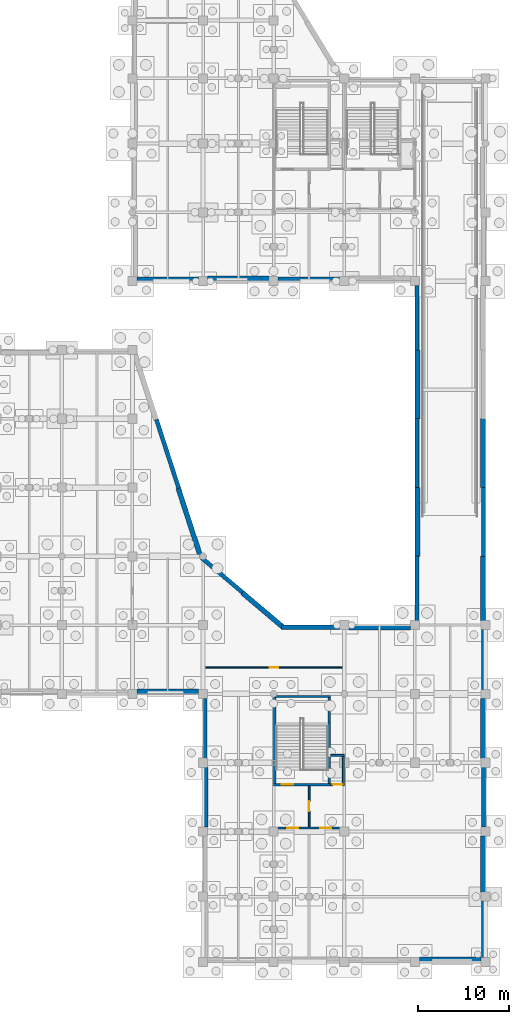
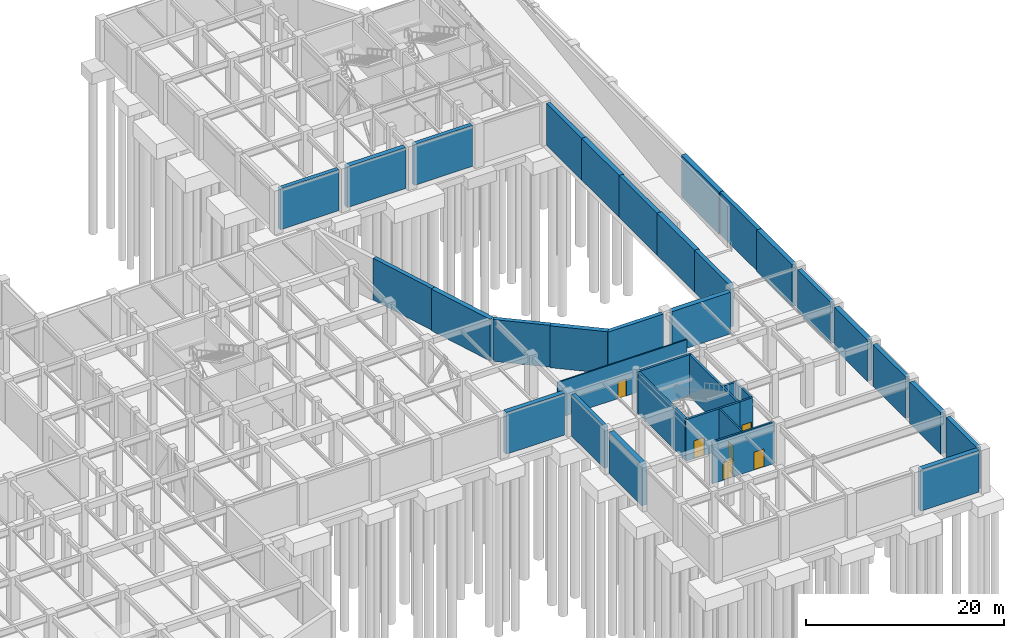
# One storey, part 45 of 52: 36 walls, 6 doors, 6 openings.
"""IFC4 building model written with IfcOpenShell, lengths in metres."""

from ifc_helpers import new_model, si_unit, direction, frame, frame_2d, origin, place, context, subcontext, project, spatial, rectangle, extrude, material, layer, layer_set, type_object, element, fill, save


model = new_model("IFC4")

# Units and contexts
model_context = context("Model", 3, precision=1e-05, world=origin(), true_north=direction((0.0, 1.0)))
body_context = subcontext(model_context, "Body", "Model", "MODEL_VIEW")
ifc_project = project(units=[si_unit("LENGTHUNIT", "METRE"), si_unit("AREAUNIT", "SQUARE_METRE"), si_unit("VOLUMEUNIT", "CUBIC_METRE"), si_unit("PLANEANGLEUNIT", "RADIAN"), si_unit("MASSUNIT", "GRAM", prefix="KILO")], contexts=[model_context])

# Site, building, storey
site_placement = place(None, origin())
site = spatial("IfcSite", under=ifc_project, at=site_placement, CompositionType="ELEMENT")
building_placement = place(site_placement, origin())
building = spatial("IfcBuilding", under=site, at=building_placement, Name="Xicomal Pleat Aquarium", CompositionType="ELEMENT")
storey_placement = place(building_placement, frame((0.0, 0.0, -5.39990234375)))
storey = spatial("IfcBuildingStorey", under=building, at=storey_placement, Name="B1", CompositionType="ELEMENT", Elevation=-5.39990234375)

# Wall, opening, door
ifc_material_1 = material(Name="Concrete C40/50", Category="concrete")
ifc_layer_1 = layer(ifc_material_1, 0.219970703125)
ifc_layer_set_1 = layer_set([ifc_layer_1], Name="Concrete C40/50")
wall_type_1 = type_object("IfcWallType", Name="WAL-COR-220", PredefinedType="SHEAR", material=ifc_layer_set_1)
wall_1_placement = place(storey_placement, frame((147.89990234375, 20.389892578125, 0.0), z_axis=(0.0, 0.0, 1.0), x_axis=(1.0, 0.0, 0.0)))
wall_1 = element("IfcWall", 1, at=wall_1_placement, inside=storey, type_object=wall_type_1, Name="B1 LF-08 lift shaft wall CW-B1-C8-LS", PredefinedType="SHEAR", context=body_context, shape_type="SweptSolid", body=[
    extrude(rectangle(XDim=1.52001953125, YDim=0.219970703125, at=frame_2d((0.760009765625, 0.0))), origin(), (0.0, 0.0, 1.0), 5.119873046875),
])
opening_1_placement = place(wall_1_placement, frame((0.2099609375, 0.0, 0.0)))
opening_1 = element("IfcOpeningElement", 2, at=opening_1_placement, cuts=wall_1, Name="Opening LD-08-B1", PredefinedType="OPENING", context=body_context, shape_type="SweptSolid", body=[
    extrude(rectangle(XDim=1.10009765625, YDim=2.14990234375, at=frame_2d((0.550048828125, 1.074951171875))), frame((0.0, 0.119873046875, 0.0), z_axis=(0.0, -1.0, 0.0), x_axis=(1.0, 0.0, 0.0)), (0.0, 0.0, 1.0), 0.239990234375),
])
ifc_material_2 = material(Name="Brushed stainless steel 304", Category="steel")
door_type_1 = type_object("IfcDoorType", Name="DOR-LD-1100x2150", OperationType="DOUBLE_DOOR_SLIDING", PredefinedType="DOOR", material=ifc_material_2)
door_1_placement = place(opening_1_placement, origin())
door_1 = element("IfcDoor", 3, at=door_1_placement, inside=storey, type_object=door_type_1, Name="B1 LF-08 sliding lift landing door", OperationType="DOUBLE_DOOR_SLIDING", OverallHeight=2.14990234375, OverallWidth=1.10009765625, PredefinedType="DOOR", context=body_context, shape_type="SweptSolid", body=[
    extrude(rectangle(XDim=1.10009765625, YDim=2.14990234375, at=frame_2d((0.550048828125, 1.074951171875))), frame((0.0, 0.02490234375, 0.0), z_axis=(0.0, -1.0, 0.0), x_axis=(1.0, 0.0, 0.0)), (0.0, 0.0, 1.0), 0.050048828125),
])
fill(opening_1, door_1)

# Walls
wall_2_placement = place(storey_placement, frame((147.89990234375, 23.610107421875, 0.0), z_axis=(0.0, 0.0, 1.0), x_axis=(1.0, 0.0, 0.0)))
element("IfcWall", 4, at=wall_2_placement, inside=storey, type_object=wall_type_1, Name="B1 LF-08 lift shaft wall CW-B1-C8-LN", PredefinedType="SHEAR", context=body_context, shape_type="SweptSolid", body=[
    extrude(rectangle(XDim=1.52001953125, YDim=0.219970703125, at=frame_2d((0.760009765625, 0.0))), origin(), (0.0, 0.0, 1.0), 5.119873046875),
])
wall_3_placement = place(storey_placement, frame((149.31005859375, 20.5, 0.0), z_axis=(0.0, 0.0, 1.0), x_axis=(0.0, 1.0, 0.0)))
element("IfcWall", 5, at=wall_3_placement, inside=storey, type_object=wall_type_1, Name="B1 LF-08 lift shaft wall CW-B1-C8-LE", PredefinedType="SHEAR", context=body_context, shape_type="SweptSolid", body=[
    extrude(rectangle(XDim=3.0, YDim=0.219970703125, at=frame_2d((1.5, 0.0))), origin(), (0.0, 0.0, 1.0), 5.119873046875),
])

# Wall, opening, door
ifc_material_3 = material(Name="Concrete C40/50", Category="concrete")
ifc_layer_2 = layer(ifc_material_3, 0.25)
ifc_layer_set_2 = layer_set([ifc_layer_2], Name="Concrete C40/50")
wall_type_2 = type_object("IfcWallType", Name="WAL-COR-250", PredefinedType="SHEAR", material=ifc_layer_set_2)
wall_4_placement = place(storey_placement, frame((141.590087890625, 20.375, 0.0), z_axis=(0.0, 0.0, 1.0), x_axis=(1.0, 0.0, 0.0)))
wall_4 = element("IfcWall", 6, at=wall_4_placement, inside=storey, type_object=wall_type_2, Name="B1 CORE-8 stair shear wall CW-B1-C8-SS", PredefinedType="SHEAR", context=body_context, shape_type="SweptSolid", body=[
    extrude(rectangle(XDim=6.280029296875, YDim=0.25, at=frame_2d((3.14013671875, 0.0))), origin(), (0.0, 0.0, 1.0), 5.119873046875),
])
opening_2_placement = place(wall_4_placement, frame((0.89990234375, 0.0, 0.0)))
opening_2 = element("IfcOpeningElement", 7, at=opening_2_placement, cuts=wall_4, Name="Opening SD-08-B1", PredefinedType="OPENING", context=body_context, shape_type="SweptSolid", body=[
    extrude(rectangle(XDim=1.25, YDim=2.199951171875, at=frame_2d((0.625, 1.10009765625))), frame((0.0, 0.135009765625, 0.0), z_axis=(0.0, -1.0, 0.0), x_axis=(1.0, 0.0, 0.0)), (0.0, 0.0, 1.0), 0.27001953125),
])
ifc_material_4 = material(Name="Powder-coated steel fire door", Category="steel")
door_type_2 = type_object("IfcDoorType", Name="DOR-ST-1250x2200", OperationType="NOTDEFINED", PredefinedType="DOOR", material=ifc_material_4)
door_2_placement = place(opening_2_placement, origin())
door_2 = element("IfcDoor", 8, at=door_2_placement, inside=storey, type_object=door_type_2, Name="B1 ST-08 protected stair door", OperationType="SINGLE_SWING_LEFT", OverallHeight=2.199951171875, OverallWidth=1.25, PredefinedType="DOOR", context=body_context, shape_type="SweptSolid", body=[
    extrude(rectangle(XDim=1.25, YDim=2.199951171875, at=frame_2d((0.625, 1.10009765625))), frame((0.0, 0.02490234375, 0.0), z_axis=(0.0, -1.0, 0.0), x_axis=(1.0, 0.0, 0.0)), (0.0, 0.0, 1.0), 0.050048828125),
])
fill(opening_2, door_2)

# Walls
wall_5_placement = place(storey_placement, frame((141.590087890625, 30.125, 0.0), z_axis=(0.0, 0.0, 1.0), x_axis=(1.0, 0.0, 0.0)))
element("IfcWall", 9, at=wall_5_placement, inside=storey, type_object=wall_type_2, Name="B1 CORE-8 stair shear wall CW-B1-C8-SN", PredefinedType="SHEAR", context=body_context, shape_type="SweptSolid", body=[
    extrude(rectangle(XDim=6.280029296875, YDim=0.25, at=frame_2d((3.14013671875, 0.0))), origin(), (0.0, 0.0, 1.0), 5.119873046875),
])
for number, where, z_axis, x_axis, name in (
    (10, (141.715087890625, 20.5, 0.0), (0.0, 0.0, 1.0), (0.0, 1.0, 0.0), "B1 CORE-8 stair shear wall CW-B1-C8-SW"),
    (11, (147.7451171875, 20.5, 0.0), (0.0, 0.0, 1.0), (0.0, 1.0, 0.0), "B1 CORE-8 stair shear wall CW-B1-C8-SE"),
):
    element("IfcWall", number, at=place(storey_placement, frame(where, z_axis=z_axis, x_axis=x_axis)), inside=storey, type_object=wall_type_2, Name=name, PredefinedType="SHEAR", context=body_context, shape_type="SweptSolid", body=[
        extrude(rectangle(XDim=9.5, YDim=0.25, at=frame_2d((4.75, 0.0))), origin(), (0.0, 0.0, 1.0), 5.119873046875),
    ])

# Wall, opening, door
ifc_material_5 = material(Name="Acoustic double-stud drywall partition", Category="gypsum")
ifc_layer_3 = layer(ifc_material_5, 0.14599609375)
ifc_layer_set_3 = layer_set([ifc_layer_3], Name="Acoustic double-stud drywall partition")
wall_type_3 = type_object("IfcWallType", Name="WAL-PRT-146", PredefinedType="PARTITIONING", material=ifc_layer_set_3)
wall_6_placement = place(storey_placement, frame((149.199951171875, 33.320068359375, 0.0), z_axis=(0.0, 0.0, 1.0), x_axis=(-1.0, 0.0, 0.0)))
wall_6 = element("IfcWall", 12, at=wall_6_placement, inside=storey, type_object=wall_type_3, Name="B1 interior partition PT-B1-012", PredefinedType="PARTITIONING", context=body_context, shape_type="SweptSolid", body=[
    extrude(rectangle(XDim=15.099853515625, YDim=0.14599609375, at=frame_2d((7.5498046875, 0.0))), origin(), (0.0, 0.0, 1.0), 4.46484375),
])
opening_3_placement = place(wall_6_placement, frame((7.074951171875, 0.0, 0.0)))
opening_3 = element("IfcOpeningElement", 13, at=opening_3_placement, cuts=wall_6, Name="Opening DR-B1-006", PredefinedType="OPENING", context=body_context, shape_type="SweptSolid", body=[
    extrude(rectangle(XDim=0.949951171875, YDim=2.10009765625, at=frame_2d((0.47509765625, 1.050048828125))), frame((0.0, 0.0830078125, 0.0), z_axis=(0.0, -1.0, 0.0), x_axis=(1.0, 0.0, 0.0)), (0.0, 0.0, 1.0), 0.166015625),
])
ifc_material_6 = material(Name="Solid-core hardwood and anodized aluminium frame", Category="wood")
door_type_3 = type_object("IfcDoorType", Name="DOR-WC-0950x2100", OperationType="NOTDEFINED", PredefinedType="DOOR", material=ifc_material_6)
door_3_placement = place(opening_3_placement, origin())
door_3 = element("IfcDoor", 14, at=door_3_placement, inside=storey, type_object=door_type_3, Name="B1 Ozone Contact and Protein Skimmer Plant door DR-B1-006", OperationType="SINGLE_SWING_LEFT", OverallHeight=2.10009765625, OverallWidth=0.949951171875, PredefinedType="DOOR", context=body_context, shape_type="SweptSolid", body=[
    extrude(rectangle(XDim=0.949951171875, YDim=2.10009765625, at=frame_2d((0.47509765625, 1.050048828125))), frame((0.0, 0.02490234375, 0.0), z_axis=(0.0, -1.0, 0.0), x_axis=(1.0, 0.0, 0.0)), (0.0, 0.0, 1.0), 0.050048828125),
])
fill(opening_3, door_3)

ifc_material_7 = material(Name="Acoustic double-stud drywall partition", Category="gypsum")
ifc_layer_4 = layer(ifc_material_7, 0.195068359375)
ifc_layer_set_4 = layer_set([ifc_layer_4], Name="Acoustic double-stud drywall partition")
wall_type_4 = type_object("IfcWallType", Name="WAL-PRT-195", PredefinedType="PARTITIONING", material=ifc_layer_set_4)
wall_7_placement = place(storey_placement, frame((145.52490234375, 15.75, 0.0), z_axis=(0.0, 0.0, 1.0), x_axis=(0.0, 1.0, 0.0)))
wall_7 = element("IfcWall", 15, at=wall_7_placement, inside=storey, type_object=wall_type_4, Name="B1 firefighting lobby smoke divider 8", PredefinedType="PARTITIONING", context=body_context, shape_type="SweptSolid", body=[
    extrude(rectangle(XDim=4.5, YDim=0.195068359375, at=frame_2d((2.25, 0.0))), origin(), (0.0, 0.0, 1.0), 5.119873046875),
])
opening_4_placement = place(wall_7_placement, frame((1.699951171875, 0.0, 0.0)))
opening_4 = element("IfcOpeningElement", 16, at=opening_4_placement, cuts=wall_7, Name="Opening FD-08C-B1", PredefinedType="OPENING", context=body_context, shape_type="SweptSolid", body=[
    extrude(rectangle(XDim=1.10009765625, YDim=2.14990234375, at=frame_2d((0.550048828125, 1.074951171875))), frame((0.0, 0.107421875, 0.0), z_axis=(0.0, -1.0, 0.0), x_axis=(1.0, 0.0, 0.0)), (0.0, 0.0, 1.0), 0.215087890625),
])
ifc_material_8 = material(Name="Powder-coated steel fire door", Category="steel")
door_type_4 = type_object("IfcDoorType", Name="DOR-LAB-1100x2150", OperationType="NOTDEFINED", PredefinedType="DOOR", material=ifc_material_8)
door_4_placement = place(opening_4_placement, origin())
door_4 = element("IfcDoor", 17, at=door_4_placement, inside=storey, type_object=door_type_4, Name="B1 lobby interconnecting fire door 8C", OperationType="SINGLE_SWING_RIGHT", OverallHeight=2.14990234375, OverallWidth=1.10009765625, PredefinedType="DOOR", context=body_context, shape_type="SweptSolid", body=[
    extrude(rectangle(XDim=1.10009765625, YDim=2.14990234375, at=frame_2d((0.550048828125, 1.074951171875))), frame((0.0, 0.02490234375, 0.0), z_axis=(0.0, -1.0, 0.0), x_axis=(1.0, 0.0, 0.0)), (0.0, 0.0, 1.0), 0.050048828125),
])
fill(opening_4, door_4)

# Wall, openings, doors
ifc_material_9 = material(Name="Fire-rated gypsum and mineral-wool partition", Category="gypsum")
ifc_layer_5 = layer(ifc_material_9, 0.2099609375)
ifc_layer_set_5 = layer_set([ifc_layer_5], Name="Fire-rated gypsum and mineral-wool partition")
wall_type_5 = type_object("IfcWallType", Name="WAL-PRT-210", PredefinedType="PARTITIONING", material=ifc_layer_set_5)
wall_8_placement = place(storey_placement, frame((141.89990234375, 15.60009765625, 0.0), z_axis=(0.0, 0.0, 1.0), x_axis=(1.0, 0.0, 0.0)))
wall_8 = element("IfcWall", 18, at=wall_8_placement, inside=storey, type_object=wall_type_5, Name="B1 CORE-8 lobby fire enclosure wall", PredefinedType="PARTITIONING", context=body_context, shape_type="SweptSolid", body=[
    extrude(rectangle(XDim=7.25, YDim=0.2099609375, at=frame_2d((3.625, 0.0))), origin(), (0.0, 0.0, 1.0), 5.119873046875),
])
opening_5_placement = place(wall_8_placement, frame((1.2119140625, 0.0, 0.0)))
opening_5 = element("IfcOpeningElement", 19, at=opening_5_placement, cuts=wall_8, Name="Opening FD-08A-B1", PredefinedType="OPENING", context=body_context, shape_type="SweptSolid", body=[
    extrude(rectangle(XDim=1.199951171875, YDim=2.199951171875, at=frame_2d((0.60009765625, 1.10009765625))), frame((0.0, 0.114990234375, 0.0), z_axis=(0.0, -1.0, 0.0), x_axis=(1.0, 0.0, 0.0)), (0.0, 0.0, 1.0), 0.22998046875),
])
opening_6_placement = place(wall_8_placement, frame((4.837890625, 0.0, 0.0)))
opening_6 = element("IfcOpeningElement", 20, at=opening_6_placement, cuts=wall_8, Name="Opening FD-08B-B1", PredefinedType="OPENING", context=body_context, shape_type="SweptSolid", body=[
    extrude(rectangle(XDim=1.199951171875, YDim=2.199951171875, at=frame_2d((0.60009765625, 1.10009765625))), frame((0.0, 0.114990234375, 0.0), z_axis=(0.0, -1.0, 0.0), x_axis=(1.0, 0.0, 0.0)), (0.0, 0.0, 1.0), 0.22998046875),
])
ifc_material_10 = material(Name="Powder-coated steel fire door", Category="steel")
door_type_5 = type_object("IfcDoorType", Name="DOR-FFL-1200x2200", OperationType="NOTDEFINED", PredefinedType="DOOR", material=ifc_material_10)
door_5_placement = place(opening_5_placement, origin())
door_5 = element("IfcDoor", 21, at=door_5_placement, inside=storey, type_object=door_type_5, Name="B1 firefighting lobby door 8A", OperationType="SINGLE_SWING_RIGHT", OverallHeight=2.199951171875, OverallWidth=1.199951171875, PredefinedType="DOOR", context=body_context, shape_type="SweptSolid", body=[
    extrude(rectangle(XDim=1.199951171875, YDim=2.199951171875, at=frame_2d((0.60009765625, 1.10009765625))), frame((0.0, 0.02490234375, 0.0), z_axis=(0.0, -1.0, 0.0), x_axis=(1.0, 0.0, 0.0)), (0.0, 0.0, 1.0), 0.050048828125),
])
fill(opening_5, door_5)
door_6_placement = place(opening_6_placement, origin())
door_6 = element("IfcDoor", 22, at=door_6_placement, inside=storey, type_object=door_type_5, Name="B1 lift lobby door 8B", OperationType="SINGLE_SWING_LEFT", OverallHeight=2.199951171875, OverallWidth=1.199951171875, PredefinedType="DOOR", context=body_context, shape_type="SweptSolid", body=[
    extrude(rectangle(XDim=1.199951171875, YDim=2.199951171875, at=frame_2d((0.60009765625, 1.10009765625))), frame((0.0, 0.02490234375, 0.0), z_axis=(0.0, -1.0, 0.0), x_axis=(1.0, 0.0, 0.0)), (0.0, 0.0, 1.0), 0.050048828125),
])
fill(opening_6, door_6)

# Walls
ifc_material_11 = material(Name="Waterproof concrete C40/50", Category="concrete")
ifc_layer_6 = layer(ifc_material_11, 0.4599609375)
ifc_layer_set_6 = layer_set([ifc_layer_6], Name="Waterproof concrete C40/50")
wall_type_6 = type_object("IfcWallType", Name="WAL-RET-460", PredefinedType="USERDEFINED", material=ifc_layer_set_6)
wall_9_placement = place(storey_placement, frame((133.652099609375, 45.424072265625, 0.0), z_axis=(0.0, 0.0, 1.0), x_axis=(0.764025829276, -0.645185657155, 0.0)))
element("IfcWall", 23, at=wall_9_placement, inside=storey, type_object=wall_type_6, Name="Basement waterproof retaining wall RW-B1-001", ObjectType="RETAINING WALL", PredefinedType="USERDEFINED", context=body_context, shape_type="SweptSolid", body=[
    extrude(rectangle(XDim=5.889892578125, YDim=0.4599609375, at=frame_2d((2.94482421875, 0.0))), origin(), (0.0, 0.0, 1.0), 5.159912109375),
])
wall_10_placement = place(storey_placement, frame((142.43994140625, 37.77001953125, 0.0), z_axis=(0.0, 0.0, 1.0), x_axis=(1.0, 0.0, 0.0)))
element("IfcWall", 24, at=wall_10_placement, inside=storey, type_object=wall_type_6, Name="Basement waterproof retaining wall RW-B1-003", ObjectType="RETAINING WALL", PredefinedType="USERDEFINED", context=body_context, shape_type="SweptSolid", body=[
    extrude(rectangle(XDim=6.47509765625, YDim=0.4599609375, at=frame_2d((3.237548828125, 0.0))), origin(), (0.0, 0.0, 1.0), 5.119873046875),
])
wall_11_placement = place(storey_placement, frame((157.429931640625, 38.485107421875, 0.0), z_axis=(0.0, 0.0, 1.0), x_axis=(0.0, 1.0, 0.0)))
element("IfcWall", 25, at=wall_11_placement, inside=storey, type_object=wall_type_6, Name="Basement waterproof retaining wall RW-B1-005", ObjectType="RETAINING WALL", PredefinedType="USERDEFINED", context=body_context, shape_type="SweptSolid", body=[
    extrude(rectangle(XDim=7.135009765625, YDim=0.4599609375, at=frame_2d((3.5673828125, 0.0))), origin(), (0.0, 0.0, 1.0), 5.159912109375),
])
wall_12_placement = place(storey_placement, frame((157.429931640625, 53.179931640625, 0.0), z_axis=(0.0, 0.0, 1.0), x_axis=(0.0, 1.0, 0.0)))
element("IfcWall", 26, at=wall_12_placement, inside=storey, type_object=wall_type_6, Name="Basement waterproof retaining wall RW-B1-007", ObjectType="RETAINING WALL", PredefinedType="USERDEFINED", context=body_context, shape_type="SweptSolid", body=[
    extrude(rectangle(XDim=7.64013671875, YDim=0.4599609375, at=frame_2d((3.820068359375, 0.0))), origin(), (0.0, 0.0, 1.0), 5.159912109375),
])
wall_13_placement = place(storey_placement, frame((157.429931640625, 68.3798828125, 0.0), z_axis=(0.0, 0.0, 1.0), x_axis=(0.0, 1.0, 0.0)))
element("IfcWall", 27, at=wall_13_placement, inside=storey, type_object=wall_type_6, Name="Basement waterproof retaining wall RW-B1-009", ObjectType="RETAINING WALL", PredefinedType="USERDEFINED", context=body_context, shape_type="SweptSolid", body=[
    extrude(rectangle(XDim=7.135009765625, YDim=0.4599609375, at=frame_2d((3.5673828125, 0.0))), origin(), (0.0, 0.0, 1.0), 5.159912109375),
])
wall_14_placement = place(storey_placement, frame((148.9150390625, 76.22998046875, 0.0), z_axis=(0.0, 0.0, 1.0), x_axis=(-1.0, 0.0, 0.0)))
element("IfcWall", 28, at=wall_14_placement, inside=storey, type_object=wall_type_6, Name="Basement waterproof retaining wall RW-B1-011", ObjectType="RETAINING WALL", PredefinedType="USERDEFINED", context=body_context, shape_type="SweptSolid", body=[
    extrude(rectangle(XDim=6.830078125, YDim=0.4599609375, at=frame_2d((3.4150390625, 0.0))), origin(), (0.0, 0.0, 1.0), 5.0498046875),
])
wall_15_placement = place(storey_placement, frame((133.31494140625, 76.22998046875, 0.0), z_axis=(0.0, 0.0, 1.0), x_axis=(-1.0, 0.0, 0.0)))
element("IfcWall", 29, at=wall_15_placement, inside=storey, type_object=wall_type_6, Name="Basement waterproof retaining wall RW-B1-013", ObjectType="RETAINING WALL", PredefinedType="USERDEFINED", context=body_context, shape_type="SweptSolid", body=[
    extrude(rectangle(XDim=6.829833984375, YDim=0.4599609375, at=frame_2d((3.4150390625, 0.0))), origin(), (0.0, 0.0, 1.0), 5.0498046875),
])
wall_16_placement = place(storey_placement, frame((164.77001953125, 53.219970703125, 0.0), z_axis=(0.0, 0.0, 1.0), x_axis=(0.0, -1.0, 0.0)))
element("IfcWall", 30, at=wall_16_placement, inside=storey, type_object=wall_type_6, Name="Basement waterproof retaining wall RW-B1-031", ObjectType="RETAINING WALL", PredefinedType="USERDEFINED", context=body_context, shape_type="SweptSolid", body=[
    extrude(rectangle(XDim=7.639892578125, YDim=0.4599609375, at=frame_2d((3.81982421875, 0.0))), origin(), (0.0, 0.0, 1.0), 5.159912109375),
])
for number, where, z_axis, x_axis, name in (
    (31, (164.77001953125, 37.514892578125, 0.0), (0.0, 0.0, 1.0), (0.0, -1.0, 0.0), "Basement waterproof retaining wall RW-B1-033"),
    (32, (164.77001953125, 22.31494140625, 0.0), (0.0, 0.0, 1.0), (0.0, -1.0, 0.0), "Basement waterproof retaining wall RW-B1-035"),
):
    element("IfcWall", number, at=place(storey_placement, frame(where, z_axis=z_axis, x_axis=x_axis)), inside=storey, type_object=wall_type_6, Name=name, ObjectType="RETAINING WALL", PredefinedType="USERDEFINED", context=body_context, shape_type="SweptSolid", body=[
        extrude(rectangle(XDim=6.6298828125, YDim=0.4599609375, at=frame_2d((3.31494140625, 0.0))), origin(), (0.0, 0.0, 1.0), 5.119873046875),
    ])
wall_17_placement = place(storey_placement, frame((164.77001953125, 7.514892578125, 0.0), z_axis=(0.0, 0.0, 1.0), x_axis=(0.0, -1.0, 0.0)))
element("IfcWall", 33, at=wall_17_placement, inside=storey, type_object=wall_type_6, Name="Basement waterproof retaining wall RW-B1-037", ObjectType="RETAINING WALL", PredefinedType="USERDEFINED", context=body_context, shape_type="SweptSolid", body=[
    extrude(rectangle(XDim=6.22998046875, YDim=0.4599609375, at=frame_2d((3.114990234375, 0.0))), origin(), (0.0, 0.0, 1.0), 5.119873046875),
])
wall_18_placement = place(storey_placement, frame((134.030029296875, 23.284912109375, 0.0), z_axis=(0.0, 0.0, 1.0), x_axis=(0.0, 1.0, 0.0)))
element("IfcWall", 34, at=wall_18_placement, inside=storey, type_object=wall_type_6, Name="Basement waterproof retaining wall RW-B1-045", ObjectType="RETAINING WALL", PredefinedType="USERDEFINED", context=body_context, shape_type="SweptSolid", body=[
    extrude(rectangle(XDim=6.630126953125, YDim=0.4599609375, at=frame_2d((3.31494140625, 0.0))), origin(), (0.0, 0.0, 1.0), 5.119873046875),
])
wall_19_placement = place(storey_placement, frame((128.64794921875, 60.72900390625, 0.0), z_axis=(0.0, 0.0, 1.0), x_axis=(0.308636952343, -0.951179915499, 0.0)))
element("IfcWall", 35, at=wall_19_placement, inside=storey, type_object=wall_type_6, Name="Basement waterproof retaining wall RW-B1-123", ObjectType="RETAINING WALL", PredefinedType="USERDEFINED", context=body_context, shape_type="SweptSolid", body=[
    extrude(rectangle(XDim=7.990234375, YDim=0.4599609375, at=frame_2d((3.9951171875, 0.0))), origin(), (0.0, 0.0, 1.0), 5.139892578125),
])
ifc_material_12 = material(Name="Waterproof concrete C40/50", Category="concrete")
ifc_layer_7 = layer(ifc_material_12, 0.550048828125)
ifc_layer_set_7 = layer_set([ifc_layer_7], Name="Waterproof concrete C40/50")
wall_type_7 = type_object("IfcWallType", Name="WAL-RET-550", PredefinedType="USERDEFINED", material=ifc_layer_set_7)
wall_20_placement = place(storey_placement, frame((138.123046875, 41.590087890625, 0.0), z_axis=(0.0, 0.0, 1.0), x_axis=(0.764025829276, -0.645185657155, 0.0)))
element("IfcWall", 36, at=wall_20_placement, inside=storey, type_object=wall_type_7, Name="Basement waterproof retaining wall RW-B1-002", ObjectType="RETAINING WALL", PredefinedType="USERDEFINED", context=body_context, shape_type="SweptSolid", body=[
    extrude(rectangle(XDim=5.889892578125, YDim=0.550048828125, at=frame_2d((2.94482421875, 0.0))), origin(), (0.0, 0.0, 1.0), 5.159912109375),
])
wall_21_placement = place(storey_placement, frame((149.885009765625, 37.72509765625, 0.0), z_axis=(0.0, 0.0, 1.0), x_axis=(1.0, 0.0, 0.0)))
element("IfcWall", 37, at=wall_21_placement, inside=storey, type_object=wall_type_7, Name="Basement waterproof retaining wall RW-B1-004", ObjectType="RETAINING WALL", PredefinedType="USERDEFINED", context=body_context, shape_type="SweptSolid", body=[
    extrude(rectangle(XDim=6.830078125, YDim=0.550048828125, at=frame_2d((3.4150390625, 0.0))), origin(), (0.0, 0.0, 1.0), 5.119873046875),
])
for number, where, z_axis, x_axis, name in (
    (38, (157.47509765625, 45.580078125, 0.0), (0.0, 0.0, 1.0), (0.0, 1.0, 0.0), "Basement waterproof retaining wall RW-B1-006"),
    (39, (157.47509765625, 60.780029296875, 0.0), (0.0, 0.0, 1.0), (0.0, 1.0, 0.0), "Basement waterproof retaining wall RW-B1-008"),
):
    element("IfcWall", number, at=place(storey_placement, frame(where, z_axis=z_axis, x_axis=x_axis)), inside=storey, type_object=wall_type_7, Name=name, ObjectType="RETAINING WALL", PredefinedType="USERDEFINED", context=body_context, shape_type="SweptSolid", body=[
        extrude(rectangle(XDim=7.639892578125, YDim=0.550048828125, at=frame_2d((3.81982421875, 0.0))), origin(), (0.0, 0.0, 1.0), 5.159912109375),
    ])
wall_22_placement = place(storey_placement, frame((141.114990234375, 76.27490234375, 0.0), z_axis=(0.0, 0.0, 1.0), x_axis=(-1.0, 0.0, 0.0)))
element("IfcWall", 40, at=wall_22_placement, inside=storey, type_object=wall_type_7, Name="Basement waterproof retaining wall RW-B1-012", ObjectType="RETAINING WALL", PredefinedType="USERDEFINED", context=body_context, shape_type="SweptSolid", body=[
    extrude(rectangle(XDim=6.830078125, YDim=0.550048828125, at=frame_2d((3.4150390625, 0.0))), origin(), (0.0, 0.0, 1.0), 5.0498046875),
])
wall_23_placement = place(storey_placement, frame((164.72509765625, 60.820068359375, 0.0), z_axis=(0.0, 0.0, 1.0), x_axis=(0.0, -1.0, 0.0)))
element("IfcWall", 41, at=wall_23_placement, inside=storey, type_object=wall_type_7, Name="Basement waterproof retaining wall RW-B1-030", ObjectType="RETAINING WALL", PredefinedType="USERDEFINED", context=body_context, shape_type="SweptSolid", body=[
    extrude(rectangle(XDim=7.64013671875, YDim=0.550048828125, at=frame_2d((3.820068359375, 0.0))), origin(), (0.0, 0.0, 1.0), 5.159912109375),
])
wall_24_placement = place(storey_placement, frame((164.72509765625, 45.6201171875, 0.0), z_axis=(0.0, 0.0, 1.0), x_axis=(0.0, -1.0, 0.0)))
element("IfcWall", 42, at=wall_24_placement, inside=storey, type_object=wall_type_7, Name="Basement waterproof retaining wall RW-B1-032", ObjectType="RETAINING WALL", PredefinedType="USERDEFINED", context=body_context, shape_type="SweptSolid", body=[
    extrude(rectangle(XDim=7.135009765625, YDim=0.550048828125, at=frame_2d((3.5673828125, 0.0))), origin(), (0.0, 0.0, 1.0), 5.159912109375),
])
wall_25_placement = place(storey_placement, frame((164.72509765625, 29.9150390625, 0.0), z_axis=(0.0, 0.0, 1.0), x_axis=(0.0, -1.0, 0.0)))
element("IfcWall", 43, at=wall_25_placement, inside=storey, type_object=wall_type_7, Name="Basement waterproof retaining wall RW-B1-034", ObjectType="RETAINING WALL", PredefinedType="USERDEFINED", context=body_context, shape_type="SweptSolid", body=[
    extrude(rectangle(XDim=6.630126953125, YDim=0.550048828125, at=frame_2d((3.31494140625, 0.0))), origin(), (0.0, 0.0, 1.0), 5.119873046875),
])
wall_26_placement = place(storey_placement, frame((164.72509765625, 14.715087890625, 0.0), z_axis=(0.0, 0.0, 1.0), x_axis=(0.0, -1.0, 0.0)))
element("IfcWall", 44, at=wall_26_placement, inside=storey, type_object=wall_type_7, Name="Basement waterproof retaining wall RW-B1-036", ObjectType="RETAINING WALL", PredefinedType="USERDEFINED", context=body_context, shape_type="SweptSolid", body=[
    extrude(rectangle(XDim=6.22998046875, YDim=0.550048828125, at=frame_2d((3.114990234375, 0.0))), origin(), (0.0, 0.0, 1.0), 5.119873046875),
])
wall_27_placement = place(storey_placement, frame((164.514892578125, 1.074951171875, 0.0), z_axis=(0.0, 0.0, 1.0), x_axis=(-1.0, 0.0, 0.0)))
element("IfcWall", 45, at=wall_27_placement, inside=storey, type_object=wall_type_7, Name="Basement waterproof retaining wall RW-B1-038", ObjectType="RETAINING WALL", PredefinedType="USERDEFINED", context=body_context, shape_type="SweptSolid", body=[
    extrude(rectangle(XDim=6.829833984375, YDim=0.550048828125, at=frame_2d((3.4150390625, 0.0))), origin(), (0.0, 0.0, 1.0), 5.119873046875),
])
wall_28_placement = place(storey_placement, frame((134.074951171875, 15.68505859375, 0.0), z_axis=(0.0, 0.0, 1.0), x_axis=(0.0, 1.0, 0.0)))
element("IfcWall", 46, at=wall_28_placement, inside=storey, type_object=wall_type_7, Name="Basement waterproof retaining wall RW-B1-044", ObjectType="RETAINING WALL", PredefinedType="USERDEFINED", context=body_context, shape_type="SweptSolid", body=[
    extrude(rectangle(XDim=6.6298828125, YDim=0.550048828125, at=frame_2d((3.31494140625, 0.0))), origin(), (0.0, 0.0, 1.0), 5.119873046875),
])
wall_29_placement = place(storey_placement, frame((133.31494140625, 30.675048828125, 0.0), z_axis=(0.0, 0.0, 1.0), x_axis=(-1.0, 0.0, 0.0)))
element("IfcWall", 47, at=wall_29_placement, inside=storey, type_object=wall_type_7, Name="Basement waterproof retaining wall RW-B1-046", ObjectType="RETAINING WALL", PredefinedType="USERDEFINED", context=body_context, shape_type="SweptSolid", body=[
    extrude(rectangle(XDim=6.829833984375, YDim=0.550048828125, at=frame_2d((3.4150390625, 0.0))), origin(), (0.0, 0.0, 1.0), 5.139892578125),
])
wall_30_placement = place(storey_placement, frame((131.071044921875, 53.114990234375, 0.0), z_axis=(0.0, 0.0, 1.0), x_axis=(0.308747524126, -0.951144030285, 0.0)))
element("IfcWall", 48, at=wall_30_placement, inside=storey, type_object=wall_type_7, Name="Basement waterproof retaining wall RW-B1-124", ObjectType="RETAINING WALL", PredefinedType="USERDEFINED", context=body_context, shape_type="SweptSolid", body=[
    extrude(rectangle(XDim=7.990478515625, YDim=0.550048828125, at=frame_2d((3.9951171875, 0.0))), origin(), (0.0, 0.0, 1.0), 5.139892578125),
])

save(model, "model.ifc")
